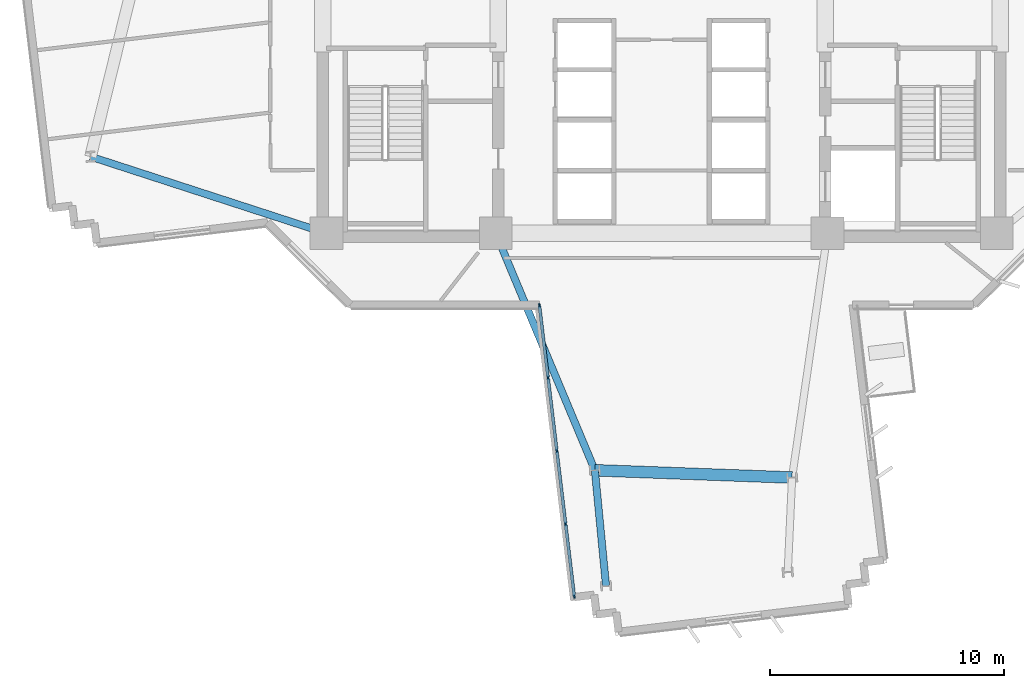
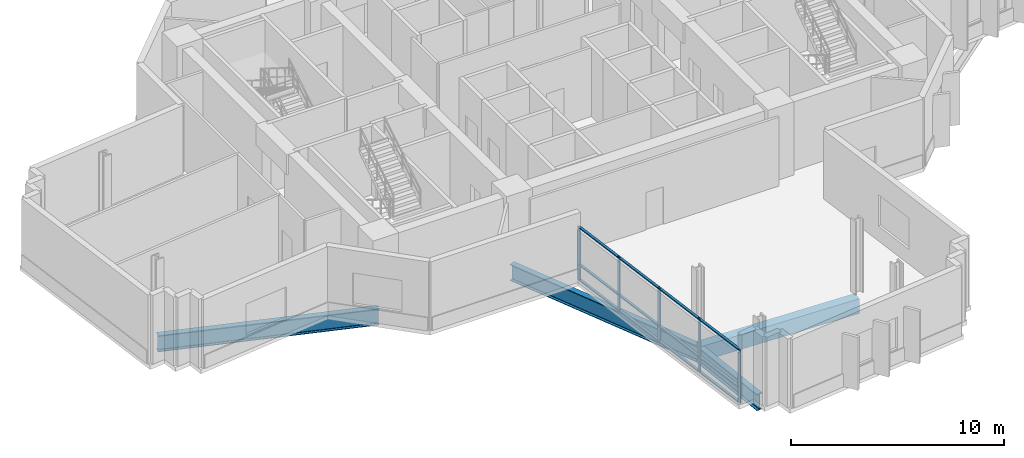
# One storey, part 2 of 15: 17 members, 4 beams, 1 element without a shape of its own.
"""IFC4 building model written with IfcOpenShell, lengths in metres."""

from ifc_helpers import new_model, si_unit, direction, frame, origin, origin_2d, place, context, subcontext, project, spatial, rectangle, i_section, extrude, source, transform, mapped, material, layer, layer_set, material_profile, profile_set, type_object, element, aggregate, save


model = new_model("IFC4")

# Units and contexts
model_context = context("Model", 3, precision=1e-05, world=origin(), true_north=direction((0.0, 1.0)))
body_context = subcontext(model_context, "Body", "Model", "MODEL_VIEW")
ifc_project = project(units=[si_unit("LENGTHUNIT", "METRE"), si_unit("AREAUNIT", "SQUARE_METRE"), si_unit("VOLUMEUNIT", "CUBIC_METRE"), si_unit("PLANEANGLEUNIT", "RADIAN"), si_unit("MASSUNIT", "GRAM", prefix="KILO")], contexts=[model_context])

# Site, building, storey
site_placement = place(None, origin())
site = spatial("IfcSite", under=ifc_project, at=site_placement, CompositionType="ELEMENT")
building_placement = place(site_placement, origin())
building = spatial("IfcBuilding", under=site, at=building_placement, Name="Zahravan Cultural Tower", CompositionType="ELEMENT")
storey_placement = place(building_placement, frame((0.0, 0.0, 104.699951171875)))
storey = spatial("IfcBuildingStorey", under=building, at=storey_placement, Name="L23", CompositionType="ELEMENT", Elevation=104.699951171875)

# Beams
ifc_material_1 = material(Name="Steel ASTM A992 Grade 50", Category="steel")
ifc_material_profile_1 = material_profile(ifc_material_1, i_section(OverallWidth=0.30908203125, OverallDepth=0.931884765625, WebThickness=0.02099609375, FlangeThickness=0.034423828125, FilletRadius=0.02392578125, at=origin_2d()), Name="W36X210")
ifc_profile_set_1 = profile_set([ifc_material_profile_1], Name="Steel ASTM A992 Grade 50")
beam_type_1 = type_object("IfcBeamType", Name="BM-G-W36X210", PredefinedType="BEAM", material=ifc_profile_set_1)
shared_shape_1 = source(origin(), body_context, "Body", "SweptSolid", [
    extrude(i_section(OverallWidth=0.30908203125, OverallDepth=0.931884765625, WebThickness=0.02099609375, FlangeThickness=0.034423828125, FilletRadius=0.02392578125, at=origin_2d()), origin(), (0.0, 0.0, 1.0), 10.615966796875),
])
beam_1_placement = place(storey_placement, frame((21.64990234375, 17.800048828125, -0.716064453125), z_axis=(-0.951063640083, 0.30899506875, 0.0), x_axis=(-0.30899506875, -0.951063640083, 0.0)))
element("IfcBeam", 1, at=beam_1_placement, inside=storey, type_object=beam_type_1, Name="L23 Beam BG-L23-07", PredefinedType="BEAM", context=body_context, shape_type="MappedRepresentation", body=[
    mapped(shared_shape_1, transform((0.0, 0.0, 0.0), x_axis=(1.0, 0.0, 0.0), y_axis=(0.0, 1.0, 0.0), z_axis=(0.0, 0.0, 1.0), scale=1.0)),
])
shared_shape_2 = source(origin(), body_context, "Body", "SweptSolid", [
    extrude(i_section(OverallWidth=0.30908203125, OverallDepth=0.931884765625, WebThickness=0.02099609375, FlangeThickness=0.034423828125, FilletRadius=0.02392578125, at=origin_2d()), origin(), (0.0, 0.0, 1.0), 10.997802734375),
])
beam_2_placement = place(storey_placement, frame((28.89990234375, 17.800048828125, -0.716064453125), z_axis=(0.385775211449, -0.922592806297, 0.0), x_axis=(0.922592806297, 0.385775211449, 0.0)))
element("IfcBeam", 2, at=beam_2_placement, inside=storey, type_object=beam_type_1, Name="L23 Beam BG-L23-08", PredefinedType="BEAM", context=body_context, shape_type="MappedRepresentation", body=[
    mapped(shared_shape_2, transform((0.0, 0.0, 0.0), x_axis=(1.0, 0.0, 0.0), y_axis=(0.0, 1.0, 0.0), z_axis=(0.0, 0.0, 1.0), scale=1.0)),
])
shared_shape_3 = source(origin(), body_context, "Body", "SweptSolid", [
    extrude(i_section(OverallWidth=0.30908203125, OverallDepth=0.931884765625, WebThickness=0.02099609375, FlangeThickness=0.034423828125, FilletRadius=0.02392578125, at=origin_2d()), origin(), (0.0, 0.0, 1.0), 4.973876953125),
])
beam_3_placement = place(storey_placement, frame((33.142578125, 7.653564453125, -0.716064453125), z_axis=(0.096154779131, -0.995366394073, 0.0), x_axis=(0.995366394073, 0.096154779131, 0.0)))
element("IfcBeam", 3, at=beam_3_placement, inside=storey, type_object=beam_type_1, Name="L23 Beam BG-L23-17", PredefinedType="BEAM", context=body_context, shape_type="MappedRepresentation", body=[
    mapped(shared_shape_3, transform((0.0, 0.0, 0.0), x_axis=(1.0, 0.0, 0.0), y_axis=(0.0, 1.0, 0.0), z_axis=(0.0, 0.0, 1.0), scale=1.0)),
])
ifc_material_2 = material(Name="Concrete C50/60", Category="concrete")
ifc_material_profile_2 = material_profile(ifc_material_2, rectangle(XDim=0.5, YDim=0.85009765625, at=origin_2d()), Name="RC500X850")
ifc_profile_set_2 = profile_set([ifc_material_profile_2], Name="Concrete C50/60")
beam_type_2 = type_object("IfcBeamType", Name="BM-SP-RC500X850", PredefinedType="SPANDREL", material=ifc_profile_set_2)
shared_shape_4 = source(origin(), body_context, "Body", "SweptSolid", [
    extrude(rectangle(XDim=0.5, YDim=0.85009765625, at=origin_2d()), origin(), (0.0, 0.0, 1.0), 8.4482421875),
])
beam_4_placement = place(storey_placement, frame((33.142578125, 7.653564453125, -0.675048828125), z_axis=(0.999318826256, -0.036903705643, 0.0), x_axis=(0.036903705643, 0.999318826256, 0.0)))
element("IfcBeam", 4, at=beam_4_placement, inside=storey, type_object=beam_type_2, Name="L23 Beam SP-L23-19", PredefinedType="SPANDREL", context=body_context, shape_type="MappedRepresentation", body=[
    mapped(shared_shape_4, transform((0.0, 0.0, 0.0), x_axis=(1.0, 0.0, 0.0), y_axis=(0.0, 1.0, 0.0), z_axis=(0.0, 0.0, 1.0), scale=1.0)),
])

# Curtain wall, members
ifc_material_3 = material(Name="Anodised bronze-aluminium mullion", Category="aluminium")
ifc_layer = layer(ifc_material_3, 0.1650390625)
ifc_layer_set = layer_set([ifc_layer], Name="Anodised bronze-aluminium mullion")
curtain_wall_type = type_object("IfcCurtainWallType", Name="CW-SYS-4", PredefinedType="USERDEFINED", material=ifc_layer_set)
curtain_wall_placement = place(storey_placement, origin())
curtain_wall = element("IfcCurtainWall", 5, at=curtain_wall_placement, inside=storey, type_object=curtain_wall_type, Name="L23 Recessed Curtain Wall CW-4.1", ObjectType="RECESSED GLAZING", PredefinedType="USERDEFINED")
ifc_material_profile_3 = material_profile(ifc_material_3, rectangle(XDim=0.06494140625, YDim=0.1650390625, at=origin_2d()), Name="AL-M65X165")
ifc_profile_set_3 = profile_set([ifc_material_profile_3], Name="Anodised bronze-aluminium mullion")
member_type_1 = type_object("IfcMemberType", Name="CWM-CW-4", PredefinedType="MULLION", material=ifc_profile_set_3)
shared_shape_5 = source(origin(), body_context, "Body", "SweptSolid", [
    extrude(rectangle(XDim=0.06494140625, YDim=0.1650390625, at=origin_2d()), origin(), (0.0, 0.0, 1.0), 3.070068359375),
])
member_1_placement = place(storey_placement, frame((32.260986328125, 2.2509765625, 0.0), z_axis=(0.0, 0.0, 1.0), x_axis=(-0.992882878226, -0.11909487867, 0.0)))
member_1 = element("IfcMember", 6, at=member_1_placement, type_object=member_type_1, Name="CW-4 mullion 1", PredefinedType="MULLION", context=body_context, shape_type="MappedRepresentation", body=[
    mapped(shared_shape_5, transform((0.0, 0.0, 0.0), x_axis=(1.0, 0.0, 0.0), y_axis=(0.0, 1.0, 0.0), z_axis=(0.0, 0.0, 1.0), scale=1.0)),
])
member_2_placement = place(storey_placement, frame((31.889404296875, 5.34912109375, 0.0), z_axis=(0.0, 0.0, 1.0), x_axis=(-0.992882878226, -0.11909487867, 0.0)))
member_2 = element("IfcMember", 7, at=member_2_placement, type_object=member_type_1, Name="CW-4 mullion 2", PredefinedType="MULLION", context=body_context, shape_type="MappedRepresentation", body=[
    mapped(shared_shape_5, transform((0.0, 0.0, 0.0), x_axis=(1.0, 0.0, 0.0), y_axis=(0.0, 1.0, 0.0), z_axis=(0.0, 0.0, 1.0), scale=1.0)),
])
member_3_placement = place(storey_placement, frame((31.513916015625, 8.4794921875, 0.0), z_axis=(0.0, 0.0, 1.0), x_axis=(-0.992882878226, -0.11909487867, 0.0)))
member_3 = element("IfcMember", 8, at=member_3_placement, type_object=member_type_1, Name="CW-4 mullion 3", PredefinedType="MULLION", context=body_context, shape_type="MappedRepresentation", body=[
    mapped(shared_shape_5, transform((0.0, 0.0, 0.0), x_axis=(1.0, 0.0, 0.0), y_axis=(0.0, 1.0, 0.0), z_axis=(0.0, 0.0, 1.0), scale=1.0)),
])
member_4_placement = place(storey_placement, frame((31.138427734375, 11.609619140625, 0.0), z_axis=(0.0, 0.0, 1.0), x_axis=(-0.992882878226, -0.11909487867, 0.0)))
member_4 = element("IfcMember", 9, at=member_4_placement, type_object=member_type_1, Name="CW-4 mullion 4", PredefinedType="MULLION", context=body_context, shape_type="MappedRepresentation", body=[
    mapped(shared_shape_5, transform((0.0, 0.0, 0.0), x_axis=(1.0, 0.0, 0.0), y_axis=(0.0, 1.0, 0.0), z_axis=(0.0, 0.0, 1.0), scale=1.0)),
])
member_5_placement = place(storey_placement, frame((30.766845703125, 14.707763671875, 0.0), z_axis=(0.0, 0.0, 1.0), x_axis=(-0.992882878226, -0.11909487867, 0.0)))
member_5 = element("IfcMember", 10, at=member_5_placement, type_object=member_type_1, Name="CW-4 mullion 5", PredefinedType="MULLION", context=body_context, shape_type="MappedRepresentation", body=[
    mapped(shared_shape_5, transform((0.0, 0.0, 0.0), x_axis=(1.0, 0.0, 0.0), y_axis=(0.0, 1.0, 0.0), z_axis=(0.0, 0.0, 1.0), scale=1.0)),
])
ifc_material_profile_4 = material_profile(ifc_material_3, rectangle(XDim=0.1298828125, YDim=0.06494140625, at=origin_2d()), Name="AL-T65X130")
ifc_profile_set_4 = profile_set([ifc_material_profile_4], Name="Anodised bronze-aluminium mullion")
member_type_2 = type_object("IfcMemberType", Name="CWT-CW-4", PredefinedType="USERDEFINED", material=ifc_profile_set_4)
shared_shape_6 = source(origin(), body_context, "Body", "SweptSolid", [
    extrude(rectangle(XDim=0.1298828125, YDim=0.06494140625, at=origin_2d()), origin(), (0.0, 0.0, 1.0), 3.05517578125),
])
member_6_placement = place(storey_placement, frame((32.257080078125, 2.283447265625, 0.032470703125), z_axis=(-0.119066444252, 0.992886288481, 0.0), x_axis=(-0.992886288481, -0.119066444252, 0.0)))
member_6 = element("IfcMember", 11, at=member_6_placement, type_object=member_type_2, Name="CW-4 transom 1.1", ObjectType="TRANSOM", PredefinedType="USERDEFINED", context=body_context, shape_type="MappedRepresentation", body=[
    mapped(shared_shape_6, transform((0.0, 0.0, 0.0), x_axis=(1.0, 0.0, 0.0), y_axis=(0.0, 1.0, 0.0), z_axis=(0.0, 0.0, 1.0), scale=1.0)),
])
member_7_placement = place(storey_placement, frame((32.257080078125, 2.283447265625, 0.900146484375), z_axis=(-0.119066444252, 0.992886288481, 0.0), x_axis=(-0.992886288481, -0.119066444252, 0.0)))
member_7 = element("IfcMember", 12, at=member_7_placement, type_object=member_type_2, Name="CW-4 transom 1.2", ObjectType="TRANSOM", PredefinedType="USERDEFINED", context=body_context, shape_type="MappedRepresentation", body=[
    mapped(shared_shape_6, transform((0.0, 0.0, 0.0), x_axis=(1.0, 0.0, 0.0), y_axis=(0.0, 1.0, 0.0), z_axis=(0.0, 0.0, 1.0), scale=1.0)),
])
member_8_placement = place(storey_placement, frame((32.257080078125, 2.283447265625, 3.03759765625), z_axis=(-0.119066444252, 0.992886288481, 0.0), x_axis=(-0.992886288481, -0.119066444252, 0.0)))
member_8 = element("IfcMember", 13, at=member_8_placement, type_object=member_type_2, Name="CW-4 transom 1.3", ObjectType="TRANSOM", PredefinedType="USERDEFINED", context=body_context, shape_type="MappedRepresentation", body=[
    mapped(shared_shape_6, transform((0.0, 0.0, 0.0), x_axis=(1.0, 0.0, 0.0), y_axis=(0.0, 1.0, 0.0), z_axis=(0.0, 0.0, 1.0), scale=1.0)),
])
member_9_placement = place(storey_placement, frame((31.134521484375, 11.64208984375, 0.032470703125), z_axis=(-0.119066444252, 0.992886288481, 0.0), x_axis=(-0.992886288481, -0.119066444252, 0.0)))
member_9 = element("IfcMember", 14, at=member_9_placement, type_object=member_type_2, Name="CW-4 transom 4.1", ObjectType="TRANSOM", PredefinedType="USERDEFINED", context=body_context, shape_type="MappedRepresentation", body=[
    mapped(shared_shape_6, transform((0.0, 0.0, 0.0), x_axis=(1.0, 0.0, 0.0), y_axis=(0.0, 1.0, 0.0), z_axis=(0.0, 0.0, 1.0), scale=1.0)),
])
member_10_placement = place(storey_placement, frame((31.134521484375, 11.64208984375, 0.900146484375), z_axis=(-0.119066444252, 0.992886288481, 0.0), x_axis=(-0.992886288481, -0.119066444252, 0.0)))
member_10 = element("IfcMember", 15, at=member_10_placement, type_object=member_type_2, Name="CW-4 transom 4.2", ObjectType="TRANSOM", PredefinedType="USERDEFINED", context=body_context, shape_type="MappedRepresentation", body=[
    mapped(shared_shape_6, transform((0.0, 0.0, 0.0), x_axis=(1.0, 0.0, 0.0), y_axis=(0.0, 1.0, 0.0), z_axis=(0.0, 0.0, 1.0), scale=1.0)),
])
member_11_placement = place(storey_placement, frame((31.134521484375, 11.64208984375, 3.03759765625), z_axis=(-0.119066444252, 0.992886288481, 0.0), x_axis=(-0.992886288481, -0.119066444252, 0.0)))
member_11 = element("IfcMember", 16, at=member_11_placement, type_object=member_type_2, Name="CW-4 transom 4.3", ObjectType="TRANSOM", PredefinedType="USERDEFINED", context=body_context, shape_type="MappedRepresentation", body=[
    mapped(shared_shape_6, transform((0.0, 0.0, 0.0), x_axis=(1.0, 0.0, 0.0), y_axis=(0.0, 1.0, 0.0), z_axis=(0.0, 0.0, 1.0), scale=1.0)),
])
shared_shape_7 = source(origin(), body_context, "Body", "SweptSolid", [
    extrude(rectangle(XDim=0.1298828125, YDim=0.06494140625, at=origin_2d()), origin(), (0.0, 0.0, 1.0), 3.087646484375),
])
member_12_placement = place(storey_placement, frame((31.885498046875, 5.38134765625, 0.032470703125), z_axis=(-0.119079744235, 0.992884693463, 0.0), x_axis=(-0.992884693463, -0.119079744235, 0.0)))
member_12 = element("IfcMember", 17, at=member_12_placement, type_object=member_type_2, Name="CW-4 transom 2.1", ObjectType="TRANSOM", PredefinedType="USERDEFINED", context=body_context, shape_type="MappedRepresentation", body=[
    mapped(shared_shape_7, transform((0.0, 0.0, 0.0), x_axis=(1.0, 0.0, 0.0), y_axis=(0.0, 1.0, 0.0), z_axis=(0.0, 0.0, 1.0), scale=1.0)),
])
member_13_placement = place(storey_placement, frame((31.885498046875, 5.38134765625, 0.900146484375), z_axis=(-0.119079744235, 0.992884693463, 0.0), x_axis=(-0.992884693463, -0.119079744235, 0.0)))
member_13 = element("IfcMember", 18, at=member_13_placement, type_object=member_type_2, Name="CW-4 transom 2.2", ObjectType="TRANSOM", PredefinedType="USERDEFINED", context=body_context, shape_type="MappedRepresentation", body=[
    mapped(shared_shape_7, transform((0.0, 0.0, 0.0), x_axis=(1.0, 0.0, 0.0), y_axis=(0.0, 1.0, 0.0), z_axis=(0.0, 0.0, 1.0), scale=1.0)),
])
member_14_placement = place(storey_placement, frame((31.885498046875, 5.38134765625, 3.03759765625), z_axis=(-0.119079744235, 0.992884693463, 0.0), x_axis=(-0.992884693463, -0.119079744235, 0.0)))
member_14 = element("IfcMember", 19, at=member_14_placement, type_object=member_type_2, Name="CW-4 transom 2.3", ObjectType="TRANSOM", PredefinedType="USERDEFINED", context=body_context, shape_type="MappedRepresentation", body=[
    mapped(shared_shape_7, transform((0.0, 0.0, 0.0), x_axis=(1.0, 0.0, 0.0), y_axis=(0.0, 1.0, 0.0), z_axis=(0.0, 0.0, 1.0), scale=1.0)),
])
member_15_placement = place(storey_placement, frame((31.510009765625, 8.51171875, 0.032470703125), z_axis=(-0.119079744235, 0.992884693463, 0.0), x_axis=(-0.992884693463, -0.119079744235, 0.0)))
member_15 = element("IfcMember", 20, at=member_15_placement, type_object=member_type_2, Name="CW-4 transom 3.1", ObjectType="TRANSOM", PredefinedType="USERDEFINED", context=body_context, shape_type="MappedRepresentation", body=[
    mapped(shared_shape_7, transform((0.0, 0.0, 0.0), x_axis=(1.0, 0.0, 0.0), y_axis=(0.0, 1.0, 0.0), z_axis=(0.0, 0.0, 1.0), scale=1.0)),
])
member_16_placement = place(storey_placement, frame((31.510009765625, 8.51171875, 0.900146484375), z_axis=(-0.119079744235, 0.992884693463, 0.0), x_axis=(-0.992884693463, -0.119079744235, 0.0)))
member_16 = element("IfcMember", 21, at=member_16_placement, type_object=member_type_2, Name="CW-4 transom 3.2", ObjectType="TRANSOM", PredefinedType="USERDEFINED", context=body_context, shape_type="MappedRepresentation", body=[
    mapped(shared_shape_7, transform((0.0, 0.0, 0.0), x_axis=(1.0, 0.0, 0.0), y_axis=(0.0, 1.0, 0.0), z_axis=(0.0, 0.0, 1.0), scale=1.0)),
])
member_17_placement = place(storey_placement, frame((31.510009765625, 8.51171875, 3.03759765625), z_axis=(-0.119079744235, 0.992884693463, 0.0), x_axis=(-0.992884693463, -0.119079744235, 0.0)))
member_17 = element("IfcMember", 22, at=member_17_placement, type_object=member_type_2, Name="CW-4 transom 3.3", ObjectType="TRANSOM", PredefinedType="USERDEFINED", context=body_context, shape_type="MappedRepresentation", body=[
    mapped(shared_shape_7, transform((0.0, 0.0, 0.0), x_axis=(1.0, 0.0, 0.0), y_axis=(0.0, 1.0, 0.0), z_axis=(0.0, 0.0, 1.0), scale=1.0)),
])
aggregate(curtain_wall, [member_1, member_2, member_3, member_4, member_5, member_6, member_7, member_8, member_12, member_13, member_14, member_15, member_16, member_17, member_9, member_10, member_11])

save(model, "model.ifc")
